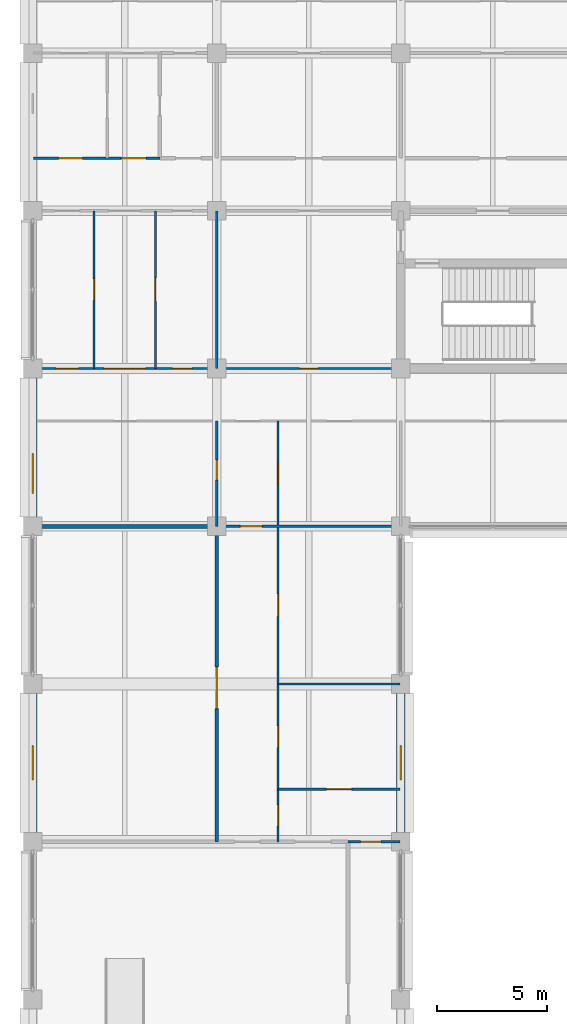
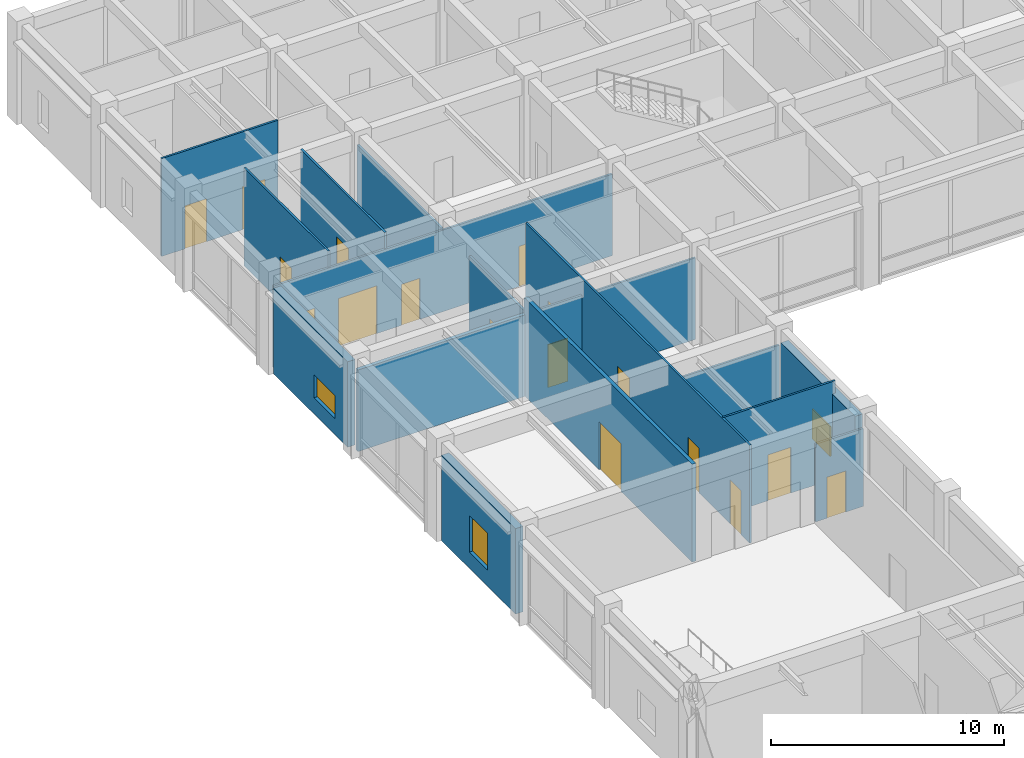
# One storey, part 24 of 51: 17 doors, 16 walls, 3 windows, 20 openings.
"""IFC4 building model written with IfcOpenShell, lengths in metres."""

from ifc_helpers import new_model, si_unit, direction, frame, frame_2d, origin, place, context, subcontext, project, spatial, rectangle, extrude, material, layer, layer_set, type_object, element, fill, save


model = new_model("IFC4")

# Units and contexts
model_context = context("Model", 3, precision=1e-05, world=origin(), true_north=direction((0.0, 1.0)))
body_context = subcontext(model_context, "Body", "Model", "MODEL_VIEW")
ifc_project = project(units=[si_unit("LENGTHUNIT", "METRE"), si_unit("AREAUNIT", "SQUARE_METRE"), si_unit("VOLUMEUNIT", "CUBIC_METRE"), si_unit("PLANEANGLEUNIT", "RADIAN"), si_unit("MASSUNIT", "GRAM", prefix="KILO")], contexts=[model_context])

# Site, building, storey
site_placement = place(None, origin())
site = spatial("IfcSite", under=ifc_project, at=site_placement, CompositionType="ELEMENT")
building_placement = place(site_placement, origin())
building = spatial("IfcBuilding", under=site, at=building_placement, Name="Chengyuan Square Courthouse", CompositionType="ELEMENT")
storey_placement = place(building_placement, frame((0.0, 0.0, 10.800048828125)))
storey = spatial("IfcBuildingStorey", under=building, at=storey_placement, Name="L03", CompositionType="ELEMENT", Elevation=10.800048828125)

# Wall, opening, window
ifc_material_1 = material(Name="Concrete C40", Category="concrete")
ifc_layer_1 = layer(ifc_material_1, 0.3798828125)
ifc_layer_set_1 = layer_set([ifc_layer_1], Name="Concrete C40")
wall_type_1 = type_object("IfcWallType", Name="WL-EW1", PredefinedType="STANDARD", material=ifc_layer_set_1)
wall_1_placement = place(storey_placement, frame((0.0, 65.219970703125, 0.0), z_axis=(0.0, 0.0, 1.0), x_axis=(0.0, 1.0, 0.0)))
wall_1 = element("IfcWall", 1, at=wall_1_placement, inside=storey, type_object=wall_type_1, Name="Exterior Wall WL-L03-E260", PredefinedType="STANDARD", context=body_context, shape_type="SweptSolid", body=[
    extrude(rectangle(XDim=6.360107421875, YDim=0.3798828125, at=frame_2d((3.18017578125, 0.0))), origin(), (0.0, 0.0, 1.0), 4.469970703125),
])
opening_1_placement = place(wall_1_placement, frame((2.405029296875, 0.0, 0.85009765625)))
opening_1 = element("IfcOpeningElement", 2, at=opening_1_placement, cuts=wall_1, Name="Opening WN-061", PredefinedType="OPENING", context=body_context, shape_type="SweptSolid", body=[
    extrude(rectangle(XDim=1.550048828125, YDim=1.919921875, at=frame_2d((0.77490234375, 0.9599609375))), frame((0.0, 0.201904296875, 0.0), z_axis=(0.0, -1.0, 0.0), x_axis=(1.0, 0.0, 0.0)), (0.0, 0.0, 1.0), 0.40380859375),
])
ifc_material_2 = material(Name="Thermally Broken Aluminium Triple Low-E Window", Category="aluminium")
window_type_1 = type_object("IfcWindowType", Name="WT-29", PartitioningType="SINGLE_PANEL", PredefinedType="WINDOW", material=ifc_material_2)
window_1_placement = place(opening_1_placement, origin())
window_1 = element("IfcWindow", 3, at=window_1_placement, inside=storey, type_object=window_type_1, Name="Facade Window WN-061", OverallHeight=1.919921875, OverallWidth=1.550048828125, PartitioningType="SINGLE_PANEL", PredefinedType="WINDOW", context=body_context, shape_type="SweptSolid", body=[
    extrude(rectangle(XDim=1.550048828125, YDim=1.919921875, at=frame_2d((0.77490234375, 0.9599609375))), frame((0.0, 0.030029296875, 0.0), z_axis=(0.0, -1.0, 0.0), x_axis=(1.0, 0.0, 0.0)), (0.0, 0.0, 1.0), 0.06005859375),
])
fill(opening_1, window_1)

wall_2_placement = place(storey_placement, frame((0.0, 79.6201171875, 0.0), z_axis=(0.0, 0.0, 1.0), x_axis=(0.0, 1.0, 0.0)))
wall_2 = element("IfcWall", 4, at=wall_2_placement, inside=storey, type_object=wall_type_1, Name="Exterior Wall WL-L03-E261", PredefinedType="STANDARD", context=body_context, shape_type="SweptSolid", body=[
    extrude(rectangle(XDim=6.35986328125, YDim=0.3798828125, at=frame_2d((3.179931640625, 0.0))), origin(), (0.0, 0.0, 1.0), 4.469970703125),
])
opening_2_placement = place(wall_2_placement, frame((1.080078125, 0.0, 0.85009765625)))
opening_2 = element("IfcOpeningElement", 5, at=opening_2_placement, cuts=wall_2, Name="Opening WN-062", PredefinedType="OPENING", context=body_context, shape_type="SweptSolid", body=[
    extrude(rectangle(XDim=1.800048828125, YDim=1.199951171875, at=frame_2d((0.89990234375, 0.60009765625))), frame((0.0, 0.201904296875, 0.0), z_axis=(0.0, -1.0, 0.0), x_axis=(1.0, 0.0, 0.0)), (0.0, 0.0, 1.0), 0.40380859375),
])
window_type_2 = type_object("IfcWindowType", Name="WT-31", PartitioningType="SINGLE_PANEL", PredefinedType="WINDOW", material=ifc_material_2)
window_2_placement = place(opening_2_placement, origin())
window_2 = element("IfcWindow", 6, at=window_2_placement, inside=storey, type_object=window_type_2, Name="Facade Window WN-062", OverallHeight=1.199951171875, OverallWidth=1.800048828125, PartitioningType="SINGLE_PANEL", PredefinedType="WINDOW", context=body_context, shape_type="SweptSolid", body=[
    extrude(rectangle(XDim=1.800048828125, YDim=1.199951171875, at=frame_2d((0.89990234375, 0.60009765625))), frame((0.0, 0.030029296875, 0.0), z_axis=(0.0, -1.0, 0.0), x_axis=(1.0, 0.0, 0.0)), (0.0, 0.0, 1.0), 0.06005859375),
])
fill(opening_2, window_2)

wall_3_placement = place(storey_placement, frame((16.800048828125, 65.219970703125, 0.0), z_axis=(0.0, 0.0, 1.0), x_axis=(0.0, 1.0, 0.0)))
wall_3 = element("IfcWall", 7, at=wall_3_placement, inside=storey, type_object=wall_type_1, Name="Exterior Wall WL-L03-E267", PredefinedType="STANDARD", context=body_context, shape_type="SweptSolid", body=[
    extrude(rectangle(XDim=6.360107421875, YDim=0.3798828125, at=frame_2d((3.18017578125, 0.0))), origin(), (0.0, 0.0, 1.0), 4.469970703125),
])
opening_3_placement = place(wall_3_placement, frame((2.405029296875, 0.0, 0.85009765625)))
opening_3 = element("IfcOpeningElement", 8, at=opening_3_placement, cuts=wall_3, Name="Opening WN-066", PredefinedType="OPENING", context=body_context, shape_type="SweptSolid", body=[
    extrude(rectangle(XDim=1.550048828125, YDim=1.56005859375, at=frame_2d((0.77490234375, 0.780029296875))), frame((0.0, 0.201904296875, 0.0), z_axis=(0.0, -1.0, 0.0), x_axis=(1.0, 0.0, 0.0)), (0.0, 0.0, 1.0), 0.40380859375),
])
window_type_3 = type_object("IfcWindowType", Name="WT-27", PartitioningType="SINGLE_PANEL", PredefinedType="WINDOW", material=ifc_material_2)
window_3_placement = place(opening_3_placement, origin())
window_3 = element("IfcWindow", 9, at=window_3_placement, inside=storey, type_object=window_type_3, Name="Facade Window WN-066", OverallHeight=1.56005859375, OverallWidth=1.550048828125, PartitioningType="SINGLE_PANEL", PredefinedType="WINDOW", context=body_context, shape_type="SweptSolid", body=[
    extrude(rectangle(XDim=1.550048828125, YDim=1.56005859375, at=frame_2d((0.77490234375, 0.780029296875))), frame((0.0, 0.030029296875, 0.0), z_axis=(0.0, -1.0, 0.0), x_axis=(1.0, 0.0, 0.0)), (0.0, 0.0, 1.0), 0.06005859375),
])
fill(opening_3, window_3)

# Wall
ifc_material_3 = material(Name="Double-Stud Acoustic Gypsum Courtroom Partition")
ifc_layer_2 = layer(ifc_material_3, 0.179931640625)
ifc_layer_set_2 = layer_set([ifc_layer_2], Name="Double-Stud Acoustic Gypsum Courtroom Partition")
wall_type_2 = type_object("IfcWallType", Name="WL-PT1", PredefinedType="STANDARD", material=ifc_layer_set_2)
wall_4_placement = place(storey_placement, frame((0.0400390625, 79.199951171875, 0.0), z_axis=(0.0, 0.0, 1.0), x_axis=(1.0, 0.0, 0.0)))
element("IfcWall", 10, at=wall_4_placement, inside=storey, type_object=wall_type_2, Name="Interior Wall WL-L03-I1408", PredefinedType="STANDARD", context=body_context, shape_type="SweptSolid", body=[
    extrude(rectangle(XDim=8.35986328125, YDim=0.179931640625, at=frame_2d((4.179931640625, 0.0))), origin(), (0.0, 0.0, 1.0), 4.27001953125),
])

# Wall, opening, door
wall_5_placement = place(storey_placement, frame((8.39990234375, 64.800048828125, 0.0), z_axis=(0.0, 0.0, 1.0), x_axis=(0.0, 1.0, 0.0)))
wall_5 = element("IfcWall", 11, at=wall_5_placement, inside=storey, type_object=wall_type_2, Name="Interior Wall WL-L03-I1556", PredefinedType="STANDARD", context=body_context, shape_type="SweptSolid", body=[
    extrude(rectangle(XDim=14.39990234375, YDim=0.179931640625, at=frame_2d((7.199951171875, 0.0))), origin(), (0.0, 0.0, 1.0), 5.119873046875),
])
opening_4_placement = place(wall_5_placement, frame((6.077392578125, 0.0, 0.0)))
opening_4 = element("IfcOpeningElement", 12, at=opening_4_placement, cuts=wall_5, Name="Opening DR-1610", PredefinedType="OPENING", context=body_context, shape_type="SweptSolid", body=[
    extrude(rectangle(XDim=1.89990234375, YDim=2.5, at=frame_2d((0.949951171875, 1.25))), frame((0.0, 0.10205078125, 0.0), z_axis=(0.0, -1.0, 0.0), x_axis=(1.0, 0.0, 0.0)), (0.0, 0.0, 1.0), 0.203857421875),
])
ifc_material_4 = material(Name="Acoustic Larch Veneer Double Door")
door_type_1 = type_object("IfcDoorType", Name="DT-26", OperationType="DOUBLE_DOOR_SINGLE_SWING", PredefinedType="DOOR", material=ifc_material_4)
door_1_placement = place(opening_4_placement, frame((1.89990234375, 0.0, 0.0), z_axis=(0.0, 0.0, 1.0), x_axis=(-1.0, 0.0, 0.0)))
door_1 = element("IfcDoor", 13, at=door_1_placement, inside=storey, type_object=door_type_1, Name="Interior Door DR-1610", OperationType="DOUBLE_DOOR_SINGLE_SWING", OverallHeight=2.5, OverallWidth=1.89990234375, PredefinedType="DOOR", context=body_context, shape_type="SweptSolid", body=[
    extrude(rectangle(XDim=1.89990234375, YDim=2.5, at=frame_2d((0.949951171875, 1.25))), frame((0.0, 0.02490234375, 0.0), z_axis=(0.0, -1.0, 0.0), x_axis=(1.0, 0.0, 0.0)), (0.0, 0.0, 1.0), 0.050048828125),
])
fill(opening_4, door_1)

ifc_material_5 = material(Name="Gypsum Plasterboard Acoustic Stud Partition")
ifc_layer_3 = layer(ifc_material_5, 0.10009765625)
ifc_layer_set_3 = layer_set([ifc_layer_3], Name="Gypsum Plasterboard Acoustic Stud Partition")
wall_type_3 = type_object("IfcWallType", Name="WL-PT6", PredefinedType="STANDARD", material=ifc_layer_set_3)
wall_6_placement = place(storey_placement, frame((14.39990234375, 64.800048828125, 0.0), z_axis=(0.0, 0.0, 1.0), x_axis=(1.0, 0.0, 0.0)))
wall_6 = element("IfcWall", 14, at=wall_6_placement, inside=storey, type_object=wall_type_3, Name="Interior Wall WL-L03-I1401", PredefinedType="STANDARD", context=body_context, shape_type="SweptSolid", body=[
    extrude(rectangle(XDim=2.360107421875, YDim=0.10009765625, at=frame_2d((1.18017578125, 0.0))), origin(), (0.0, 0.0, 1.0), 4.070068359375),
])
opening_5_placement = place(wall_6_placement, frame((0.5673828125, 0.0, 0.0)))
opening_5 = element("IfcOpeningElement", 15, at=opening_5_placement, cuts=wall_6, Name="Opening DR-1359", PredefinedType="OPENING", context=body_context, shape_type="SweptSolid", body=[
    extrude(rectangle(XDim=0.919921875, YDim=2.14990234375, at=frame_2d((0.4599609375, 1.074951171875))), frame((0.0, 0.06201171875, 0.0), z_axis=(0.0, -1.0, 0.0), x_axis=(1.0, 0.0, 0.0)), (0.0, 0.0, 1.0), 0.1240234375),
])
ifc_material_6 = material(Name="Acoustic Solid-Core Timber Door", Category="wood")
door_type_2 = type_object("IfcDoorType", Name="DT-29", OperationType="NOTDEFINED", PredefinedType="DOOR", material=ifc_material_6)
door_2_placement = place(opening_5_placement, origin())
door_2 = element("IfcDoor", 16, at=door_2_placement, inside=storey, type_object=door_type_2, Name="Interior Door DR-1359", OperationType="SINGLE_SWING_LEFT", OverallHeight=2.14990234375, OverallWidth=0.919921875, PredefinedType="DOOR", context=body_context, shape_type="SweptSolid", body=[
    extrude(rectangle(XDim=0.919921875, YDim=2.14990234375, at=frame_2d((0.4599609375, 1.074951171875))), frame((0.0, 0.02490234375, 0.0), z_axis=(0.0, -1.0, 0.0), x_axis=(1.0, 0.0, 0.0)), (0.0, 0.0, 1.0), 0.050048828125),
])
fill(opening_5, door_2)

wall_7_placement = place(storey_placement, frame((11.199951171875, 67.199951171875, 0.0), z_axis=(0.0, 0.0, 1.0), x_axis=(1.0, 0.0, 0.0)))
wall_7 = element("IfcWall", 17, at=wall_7_placement, inside=storey, type_object=wall_type_3, Name="Interior Wall WL-L03-I1404", PredefinedType="STANDARD", context=body_context, shape_type="SweptSolid", body=[
    extrude(rectangle(XDim=5.56005859375, YDim=0.10009765625, at=frame_2d((2.780029296875, 0.0))), origin(), (0.0, 0.0, 1.0), 5.119873046875),
])
opening_6_placement = place(wall_7_placement, frame((2.2099609375, 0.0, 0.0)))
opening_6 = element("IfcOpeningElement", 18, at=opening_6_placement, cuts=wall_7, Name="Opening DR-1611", PredefinedType="OPENING", context=body_context, shape_type="SweptSolid", body=[
    extrude(rectangle(XDim=1.139892578125, YDim=2.39990234375, at=frame_2d((0.56982421875, 1.199951171875))), frame((0.0, 0.06201171875, 0.0), z_axis=(0.0, -1.0, 0.0), x_axis=(1.0, 0.0, 0.0)), (0.0, 0.0, 1.0), 0.1240234375),
])
door_type_3 = type_object("IfcDoorType", Name="DT-43", OperationType="NOTDEFINED", PredefinedType="DOOR", material=ifc_material_6)
door_3_placement = place(opening_6_placement, origin())
door_3 = element("IfcDoor", 19, at=door_3_placement, inside=storey, type_object=door_type_3, Name="Interior Door DR-1611", OperationType="SINGLE_SWING_RIGHT", OverallHeight=2.39990234375, OverallWidth=1.139892578125, PredefinedType="DOOR", context=body_context, shape_type="SweptSolid", body=[
    extrude(rectangle(XDim=1.139892578125, YDim=2.39990234375, at=frame_2d((0.56982421875, 1.199951171875))), frame((0.0, 0.02490234375, 0.0), z_axis=(0.0, -1.0, 0.0), x_axis=(1.0, 0.0, 0.0)), (0.0, 0.0, 1.0), 0.050048828125),
])
fill(opening_6, door_3)

# Wall
wall_8_placement = place(storey_placement, frame((11.199951171875, 72.0, 0.0), z_axis=(0.0, 0.0, 1.0), x_axis=(1.0, 0.0, 0.0)))
element("IfcWall", 20, at=wall_8_placement, inside=storey, type_object=wall_type_3, Name="Interior Wall WL-L03-I1406", PredefinedType="STANDARD", context=body_context, shape_type="SweptSolid", body=[
    extrude(rectangle(XDim=5.56005859375, YDim=0.10009765625, at=frame_2d((2.780029296875, 0.0))), origin(), (0.0, 0.0, 1.0), 4.070068359375),
])

# Wall, opening, door
wall_9_placement = place(storey_placement, frame((8.39990234375, 79.199951171875, 0.0), z_axis=(0.0, 0.0, 1.0), x_axis=(1.0, 0.0, 0.0)))
wall_9 = element("IfcWall", 21, at=wall_9_placement, inside=storey, type_object=wall_type_3, Name="Interior Wall WL-L03-I1409", PredefinedType="STANDARD", context=body_context, shape_type="SweptSolid", body=[
    extrude(rectangle(XDim=8.360107421875, YDim=0.10009765625, at=frame_2d((4.18017578125, 0.0))), origin(), (0.0, 0.0, 1.0), 4.27001953125),
])
opening_7_placement = place(wall_9_placement, frame((1.072509765625, 0.0, 0.0)))
opening_7 = element("IfcOpeningElement", 22, at=opening_7_placement, cuts=wall_9, Name="Opening DR-1599", PredefinedType="OPENING", context=body_context, shape_type="SweptSolid", body=[
    extrude(rectangle(XDim=1.0, YDim=2.25, at=frame_2d((0.5, 1.125))), frame((0.0, 0.06201171875, 0.0), z_axis=(0.0, -1.0, 0.0), x_axis=(1.0, 0.0, 0.0)), (0.0, 0.0, 1.0), 0.1240234375),
])
door_type_4 = type_object("IfcDoorType", Name="DT-31", OperationType="NOTDEFINED", PredefinedType="DOOR", material=ifc_material_6)
door_4_placement = place(opening_7_placement, origin())
door_4 = element("IfcDoor", 23, at=door_4_placement, inside=storey, type_object=door_type_4, Name="Interior Door DR-1599", OperationType="SINGLE_SWING_LEFT", OverallHeight=2.25, OverallWidth=1.0, PredefinedType="DOOR", context=body_context, shape_type="SweptSolid", body=[
    extrude(rectangle(XDim=1.0, YDim=2.25, at=frame_2d((0.5, 1.125))), frame((0.0, 0.02490234375, 0.0), z_axis=(0.0, -1.0, 0.0), x_axis=(1.0, 0.0, 0.0)), (0.0, 0.0, 1.0), 0.050048828125),
])
fill(opening_7, door_4)

# Wall, openings, doors
wall_10_placement = place(storey_placement, frame((0.0400390625, 86.39990234375, 0.0), z_axis=(0.0, 0.0, 1.0), x_axis=(1.0, 0.0, 0.0)))
wall_10 = element("IfcWall", 24, at=wall_10_placement, inside=storey, type_object=wall_type_3, Name="Interior Wall WL-L03-I1417", PredefinedType="STANDARD", context=body_context, shape_type="SweptSolid", body=[
    extrude(rectangle(XDim=16.760009765625, YDim=0.10009765625, at=frame_2d((8.3798828125, 0.0))), origin(), (0.0, 0.0, 1.0), 4.27001953125),
])
opening_8_placement = place(wall_10_placement, frame((1.0224609375, 0.0, 0.0)))
opening_8 = element("IfcOpeningElement", 25, at=opening_8_placement, cuts=wall_10, Name="Opening DR-1524", PredefinedType="OPENING", context=body_context, shape_type="SweptSolid", body=[
    extrude(rectangle(XDim=1.02001953125, YDim=2.39990234375, at=frame_2d((0.510009765625, 1.199951171875))), frame((0.0, 0.06201171875, 0.0), z_axis=(0.0, -1.0, 0.0), x_axis=(1.0, 0.0, 0.0)), (0.0, 0.0, 1.0), 0.1240234375),
])
opening_9_placement = place(wall_10_placement, frame((3.2099609375, 0.0, 0.0)))
opening_9 = element("IfcOpeningElement", 26, at=opening_9_placement, cuts=wall_10, Name="Opening DR-1526", PredefinedType="OPENING", context=body_context, shape_type="SweptSolid", body=[
    extrude(rectangle(XDim=1.89990234375, YDim=2.5, at=frame_2d((0.949951171875, 1.25))), frame((0.0, 0.06201171875, 0.0), z_axis=(0.0, -1.0, 0.0), x_axis=(1.0, 0.0, 0.0)), (0.0, 0.0, 1.0), 0.1240234375),
])
opening_10_placement = place(wall_10_placement, frame((6.33740234375, 0.0, 0.0)))
opening_10 = element("IfcOpeningElement", 27, at=opening_10_placement, cuts=wall_10, Name="Opening DR-1527", PredefinedType="OPENING", context=body_context, shape_type="SweptSolid", body=[
    extrude(rectangle(XDim=0.89990234375, YDim=2.14990234375, at=frame_2d((0.449951171875, 1.074951171875))), frame((0.0, 0.06201171875, 0.0), z_axis=(0.0, -1.0, 0.0), x_axis=(1.0, 0.0, 0.0)), (0.0, 0.0, 1.0), 0.1240234375),
])
opening_11_placement = place(wall_10_placement, frame((12.1298828125, 0.0, 0.0)))
opening_11 = element("IfcOpeningElement", 28, at=opening_11_placement, cuts=wall_10, Name="Opening DR-1528", PredefinedType="OPENING", context=body_context, shape_type="SweptSolid", body=[
    extrude(rectangle(XDim=0.860107421875, YDim=2.10009765625, at=frame_2d((0.43017578125, 1.050048828125))), frame((0.0, 0.06201171875, 0.0), z_axis=(0.0, -1.0, 0.0), x_axis=(1.0, 0.0, 0.0)), (0.0, 0.0, 1.0), 0.1240234375),
])
door_5_placement = place(opening_9_placement, frame((1.89990234375, 0.0, 0.0), z_axis=(0.0, 0.0, 1.0), x_axis=(-1.0, 0.0, 0.0)))
door_5 = element("IfcDoor", 29, at=door_5_placement, inside=storey, type_object=door_type_1, Name="Interior Door DR-1526", OperationType="DOUBLE_DOOR_SINGLE_SWING", OverallHeight=2.5, OverallWidth=1.89990234375, PredefinedType="DOOR", context=body_context, shape_type="SweptSolid", body=[
    extrude(rectangle(XDim=1.89990234375, YDim=2.5, at=frame_2d((0.949951171875, 1.25))), frame((0.0, 0.02490234375, 0.0), z_axis=(0.0, -1.0, 0.0), x_axis=(1.0, 0.0, 0.0)), (0.0, 0.0, 1.0), 0.050048828125),
])
fill(opening_9, door_5)
door_type_5 = type_object("IfcDoorType", Name="DT-27", OperationType="NOTDEFINED", PredefinedType="DOOR", material=ifc_material_6)
door_6_placement = place(opening_10_placement, origin())
door_6 = element("IfcDoor", 30, at=door_6_placement, inside=storey, type_object=door_type_5, Name="Interior Door DR-1527", OperationType="SINGLE_SWING_RIGHT", OverallHeight=2.14990234375, OverallWidth=0.89990234375, PredefinedType="DOOR", context=body_context, shape_type="SweptSolid", body=[
    extrude(rectangle(XDim=0.89990234375, YDim=2.14990234375, at=frame_2d((0.449951171875, 1.074951171875))), frame((0.0, 0.02490234375, 0.0), z_axis=(0.0, -1.0, 0.0), x_axis=(1.0, 0.0, 0.0)), (0.0, 0.0, 1.0), 0.050048828125),
])
fill(opening_10, door_6)
door_type_6 = type_object("IfcDoorType", Name="DT-28", OperationType="NOTDEFINED", PredefinedType="DOOR", material=ifc_material_6)
door_7_placement = place(opening_11_placement, origin())
door_7 = element("IfcDoor", 31, at=door_7_placement, inside=storey, type_object=door_type_6, Name="Interior Door DR-1528", OperationType="SINGLE_SWING_LEFT", OverallHeight=2.10009765625, OverallWidth=0.860107421875, PredefinedType="DOOR", context=body_context, shape_type="SweptSolid", body=[
    extrude(rectangle(XDim=0.860107421875, YDim=2.10009765625, at=frame_2d((0.43017578125, 1.050048828125))), frame((0.0, 0.02490234375, 0.0), z_axis=(0.0, -1.0, 0.0), x_axis=(1.0, 0.0, 0.0)), (0.0, 0.0, 1.0), 0.050048828125),
])
fill(opening_11, door_7)
door_type_7 = type_object("IfcDoorType", Name="DT-41", OperationType="NOTDEFINED", PredefinedType="DOOR", material=ifc_material_6)
door_8_placement = place(opening_8_placement, origin())
door_8 = element("IfcDoor", 32, at=door_8_placement, inside=storey, type_object=door_type_7, Name="Interior Door DR-1524", OperationType="SINGLE_SWING_RIGHT", OverallHeight=2.39990234375, OverallWidth=1.02001953125, PredefinedType="DOOR", context=body_context, shape_type="SweptSolid", body=[
    extrude(rectangle(XDim=1.02001953125, YDim=2.39990234375, at=frame_2d((0.510009765625, 1.199951171875))), frame((0.0, 0.02490234375, 0.0), z_axis=(0.0, -1.0, 0.0), x_axis=(1.0, 0.0, 0.0)), (0.0, 0.0, 1.0), 0.050048828125),
])
fill(opening_8, door_8)

wall_11_placement = place(storey_placement, frame((0.0400390625, 96.0, 0.0), z_axis=(0.0, 0.0, 1.0), x_axis=(1.0, 0.0, 0.0)))
wall_11 = element("IfcWall", 33, at=wall_11_placement, inside=storey, type_object=wall_type_3, Name="Interior Wall WL-L03-I1461", PredefinedType="STANDARD", context=body_context, shape_type="SweptSolid", body=[
    extrude(rectangle(XDim=5.760009765625, YDim=0.10009765625, at=frame_2d((2.8798828125, 0.0))), origin(), (0.0, 0.0, 1.0), 5.119873046875),
])
opening_12_placement = place(wall_11_placement, frame((1.139892578125, 0.0, 0.0)))
opening_12 = element("IfcOpeningElement", 34, at=opening_12_placement, cuts=wall_11, Name="Opening DR-1448", PredefinedType="OPENING", context=body_context, shape_type="SweptSolid", body=[
    extrude(rectangle(XDim=1.080078125, YDim=2.25, at=frame_2d((0.5400390625, 1.125))), frame((0.0, 0.06201171875, 0.0), z_axis=(0.0, -1.0, 0.0), x_axis=(1.0, 0.0, 0.0)), (0.0, 0.0, 1.0), 0.1240234375),
])
opening_13_placement = place(wall_11_placement, frame((4.0, 0.0, 0.0)))
opening_13 = element("IfcOpeningElement", 35, at=opening_13_placement, cuts=wall_11, Name="Opening DR-1449", PredefinedType="OPENING", context=body_context, shape_type="SweptSolid", body=[
    extrude(rectangle(XDim=1.1201171875, YDim=2.25, at=frame_2d((0.56005859375, 1.125))), frame((0.0, 0.06201171875, 0.0), z_axis=(0.0, -1.0, 0.0), x_axis=(1.0, 0.0, 0.0)), (0.0, 0.0, 1.0), 0.1240234375),
])
door_type_8 = type_object("IfcDoorType", Name="DT-33", OperationType="NOTDEFINED", PredefinedType="DOOR", material=ifc_material_6)
door_9_placement = place(opening_12_placement, origin())
door_9 = element("IfcDoor", 36, at=door_9_placement, inside=storey, type_object=door_type_8, Name="Interior Door DR-1448", OperationType="SINGLE_SWING_LEFT", OverallHeight=2.25, OverallWidth=1.080078125, PredefinedType="DOOR", context=body_context, shape_type="SweptSolid", body=[
    extrude(rectangle(XDim=1.080078125, YDim=2.25, at=frame_2d((0.5400390625, 1.125))), frame((0.0, 0.02490234375, 0.0), z_axis=(0.0, -1.0, 0.0), x_axis=(1.0, 0.0, 0.0)), (0.0, 0.0, 1.0), 0.050048828125),
])
fill(opening_12, door_9)
door_type_9 = type_object("IfcDoorType", Name="DT-34", OperationType="NOTDEFINED", PredefinedType="DOOR", material=ifc_material_6)
door_10_placement = place(opening_13_placement, origin())
door_10 = element("IfcDoor", 37, at=door_10_placement, inside=storey, type_object=door_type_9, Name="Interior Door DR-1449", OperationType="SINGLE_SWING_RIGHT", OverallHeight=2.25, OverallWidth=1.1201171875, PredefinedType="DOOR", context=body_context, shape_type="SweptSolid", body=[
    extrude(rectangle(XDim=1.1201171875, YDim=2.25, at=frame_2d((0.56005859375, 1.125))), frame((0.0, 0.02490234375, 0.0), z_axis=(0.0, -1.0, 0.0), x_axis=(1.0, 0.0, 0.0)), (0.0, 0.0, 1.0), 0.050048828125),
])
fill(opening_13, door_10)

# Wall, opening, door
wall_12_placement = place(storey_placement, frame((2.800048828125, 86.39990234375, 0.0), z_axis=(0.0, 0.0, 1.0), x_axis=(0.0, 1.0, 0.0)))
wall_12 = element("IfcWall", 38, at=wall_12_placement, inside=storey, type_object=wall_type_3, Name="Interior Wall WL-L03-I1549", PredefinedType="STANDARD", context=body_context, shape_type="SweptSolid", body=[
    extrude(rectangle(XDim=7.2001953125, YDim=0.10009765625, at=frame_2d((3.60009765625, 0.0))), origin(), (0.0, 0.0, 1.0), 5.119873046875),
])
opening_14_placement = place(wall_12_placement, frame((3.110107421875, 0.0, 0.0)))
opening_14 = element("IfcOpeningElement", 39, at=opening_14_placement, cuts=wall_12, Name="Opening DR-1523", PredefinedType="OPENING", context=body_context, shape_type="SweptSolid", body=[
    extrude(rectangle(XDim=0.97998046875, YDim=2.35009765625, at=frame_2d((0.489990234375, 1.175048828125))), frame((0.0, 0.06201171875, 0.0), z_axis=(0.0, -1.0, 0.0), x_axis=(1.0, 0.0, 0.0)), (0.0, 0.0, 1.0), 0.1240234375),
])
door_type_10 = type_object("IfcDoorType", Name="DT-40", OperationType="NOTDEFINED", PredefinedType="DOOR", material=ifc_material_6)
door_11_placement = place(opening_14_placement, origin())
door_11 = element("IfcDoor", 40, at=door_11_placement, inside=storey, type_object=door_type_10, Name="Interior Door DR-1523", OperationType="SINGLE_SWING_LEFT", OverallHeight=2.35009765625, OverallWidth=0.97998046875, PredefinedType="DOOR", context=body_context, shape_type="SweptSolid", body=[
    extrude(rectangle(XDim=0.97998046875, YDim=2.35009765625, at=frame_2d((0.489990234375, 1.175048828125))), frame((0.0, 0.02490234375, 0.0), z_axis=(0.0, -1.0, 0.0), x_axis=(1.0, 0.0, 0.0)), (0.0, 0.0, 1.0), 0.050048828125),
])
fill(opening_14, door_11)

wall_13_placement = place(storey_placement, frame((5.60009765625, 86.39990234375, 0.0), z_axis=(0.0, 0.0, 1.0), x_axis=(0.0, 1.0, 0.0)))
wall_13 = element("IfcWall", 41, at=wall_13_placement, inside=storey, type_object=wall_type_3, Name="Interior Wall WL-L03-I1551", PredefinedType="STANDARD", context=body_context, shape_type="SweptSolid", body=[
    extrude(rectangle(XDim=7.2001953125, YDim=0.10009765625, at=frame_2d((3.60009765625, 0.0))), origin(), (0.0, 0.0, 1.0), 5.119873046875),
])
opening_15_placement = place(wall_13_placement, frame((3.070068359375, 0.0, 0.0)))
opening_15 = element("IfcOpeningElement", 42, at=opening_15_placement, cuts=wall_13, Name="Opening DR-1525", PredefinedType="OPENING", context=body_context, shape_type="SweptSolid", body=[
    extrude(rectangle(XDim=1.06005859375, YDim=2.39990234375, at=frame_2d((0.530029296875, 1.199951171875))), frame((0.0, 0.06201171875, 0.0), z_axis=(0.0, -1.0, 0.0), x_axis=(1.0, 0.0, 0.0)), (0.0, 0.0, 1.0), 0.1240234375),
])
door_type_11 = type_object("IfcDoorType", Name="DT-42", OperationType="NOTDEFINED", PredefinedType="DOOR", material=ifc_material_6)
door_12_placement = place(opening_15_placement, origin())
door_12 = element("IfcDoor", 43, at=door_12_placement, inside=storey, type_object=door_type_11, Name="Interior Door DR-1525", OperationType="SINGLE_SWING_LEFT", OverallHeight=2.39990234375, OverallWidth=1.06005859375, PredefinedType="DOOR", context=body_context, shape_type="SweptSolid", body=[
    extrude(rectangle(XDim=1.06005859375, YDim=2.39990234375, at=frame_2d((0.530029296875, 1.199951171875))), frame((0.0, 0.02490234375, 0.0), z_axis=(0.0, -1.0, 0.0), x_axis=(1.0, 0.0, 0.0)), (0.0, 0.0, 1.0), 0.050048828125),
])
fill(opening_15, door_12)

wall_14_placement = place(storey_placement, frame((8.39990234375, 79.199951171875, 0.0), z_axis=(0.0, 0.0, 1.0), x_axis=(0.0, 1.0, 0.0)))
wall_14 = element("IfcWall", 44, at=wall_14_placement, inside=storey, type_object=wall_type_3, Name="Interior Wall WL-L03-I1557", PredefinedType="STANDARD", context=body_context, shape_type="SweptSolid", body=[
    extrude(rectangle(XDim=4.800048828125, YDim=0.10009765625, at=frame_2d((2.39990234375, 0.0))), origin(), (0.0, 0.0, 1.0), 4.369873046875),
])
opening_16_placement = place(wall_14_placement, frame((2.112548828125, 0.0, 0.0)))
opening_16 = element("IfcOpeningElement", 45, at=opening_16_placement, cuts=wall_14, Name="Opening DR-1597", PredefinedType="OPENING", context=body_context, shape_type="SweptSolid", body=[
    extrude(rectangle(XDim=0.919921875, YDim=2.14990234375, at=frame_2d((0.4599609375, 1.074951171875))), frame((0.0, 0.06201171875, 0.0), z_axis=(0.0, -1.0, 0.0), x_axis=(1.0, 0.0, 0.0)), (0.0, 0.0, 1.0), 0.1240234375),
])
door_13_placement = place(opening_16_placement, origin())
door_13 = element("IfcDoor", 46, at=door_13_placement, inside=storey, type_object=door_type_2, Name="Interior Door DR-1597", OperationType="SINGLE_SWING_LEFT", OverallHeight=2.14990234375, OverallWidth=0.919921875, PredefinedType="DOOR", context=body_context, shape_type="SweptSolid", body=[
    extrude(rectangle(XDim=0.919921875, YDim=2.14990234375, at=frame_2d((0.4599609375, 1.074951171875))), frame((0.0, 0.02490234375, 0.0), z_axis=(0.0, -1.0, 0.0), x_axis=(1.0, 0.0, 0.0)), (0.0, 0.0, 1.0), 0.050048828125),
])
fill(opening_16, door_13)

# Wall
wall_15_placement = place(storey_placement, frame((8.39990234375, 86.39990234375, 0.0), z_axis=(0.0, 0.0, 1.0), x_axis=(0.0, 1.0, 0.0)))
element("IfcWall", 47, at=wall_15_placement, inside=storey, type_object=wall_type_3, Name="Interior Wall WL-L03-I1558", PredefinedType="STANDARD", context=body_context, shape_type="SweptSolid", body=[
    extrude(rectangle(XDim=7.2001953125, YDim=0.10009765625, at=frame_2d((3.60009765625, 0.0))), origin(), (0.0, 0.0, 1.0), 4.369873046875),
])

# Wall, openings, doors
wall_16_placement = place(storey_placement, frame((11.199951171875, 64.800048828125, 0.0), z_axis=(0.0, 0.0, 1.0), x_axis=(0.0, 1.0, 0.0)))
wall_16 = element("IfcWall", 48, at=wall_16_placement, inside=storey, type_object=wall_type_3, Name="Interior Wall WL-L03-I1562", PredefinedType="STANDARD", context=body_context, shape_type="SweptSolid", body=[
    extrude(rectangle(XDim=19.199951171875, YDim=0.10009765625, at=frame_2d((9.60009765625, 0.0))), origin(), (0.0, 0.0, 1.0), 5.119873046875),
])
opening_17_placement = place(wall_16_placement, frame((16.320068359375, 0.0, 0.0)))
opening_17 = element("IfcOpeningElement", 49, at=opening_17_placement, cuts=wall_16, Name="Opening DR-1598", PredefinedType="OPENING", context=body_context, shape_type="SweptSolid", body=[
    extrude(rectangle(XDim=0.9599609375, YDim=2.199951171875, at=frame_2d((0.47998046875, 1.10009765625))), frame((0.0, 0.06201171875, 0.0), z_axis=(0.0, -1.0, 0.0), x_axis=(1.0, 0.0, 0.0)), (0.0, 0.0, 1.0), 0.1240234375),
])
opening_18_placement = place(wall_16_placement, frame((0.72998046875, 0.0, 0.0)))
opening_18 = element("IfcOpeningElement", 50, at=opening_18_placement, cuts=wall_16, Name="Opening DR-1607", PredefinedType="OPENING", context=body_context, shape_type="SweptSolid", body=[
    extrude(rectangle(XDim=0.93994140625, YDim=2.300048828125, at=frame_2d((0.469970703125, 1.14990234375))), frame((0.0, 0.06201171875, 0.0), z_axis=(0.0, -1.0, 0.0), x_axis=(1.0, 0.0, 0.0)), (0.0, 0.0, 1.0), 0.1240234375),
])
opening_19_placement = place(wall_16_placement, frame((4.31005859375, 0.0, 0.0)))
opening_19 = element("IfcOpeningElement", 51, at=opening_19_placement, cuts=wall_16, Name="Opening DR-1608", PredefinedType="OPENING", context=body_context, shape_type="SweptSolid", body=[
    extrude(rectangle(XDim=0.97998046875, YDim=2.35009765625, at=frame_2d((0.489990234375, 1.175048828125))), frame((0.0, 0.06201171875, 0.0), z_axis=(0.0, -1.0, 0.0), x_axis=(1.0, 0.0, 0.0)), (0.0, 0.0, 1.0), 0.1240234375),
])
opening_20_placement = place(wall_16_placement, frame((10.2900390625, 0.0, 0.0)))
opening_20 = element("IfcOpeningElement", 52, at=opening_20_placement, cuts=wall_16, Name="Opening DR-1609", PredefinedType="OPENING", context=body_context, shape_type="SweptSolid", body=[
    extrude(rectangle(XDim=1.02001953125, YDim=2.39990234375, at=frame_2d((0.510009765625, 1.199951171875))), frame((0.0, 0.06201171875, 0.0), z_axis=(0.0, -1.0, 0.0), x_axis=(1.0, 0.0, 0.0)), (0.0, 0.0, 1.0), 0.1240234375),
])
door_type_12 = type_object("IfcDoorType", Name="DT-30", OperationType="NOTDEFINED", PredefinedType="DOOR", material=ifc_material_6)
door_14_placement = place(opening_17_placement, origin())
door_14 = element("IfcDoor", 53, at=door_14_placement, inside=storey, type_object=door_type_12, Name="Interior Door DR-1598", OperationType="SINGLE_SWING_RIGHT", OverallHeight=2.199951171875, OverallWidth=0.9599609375, PredefinedType="DOOR", context=body_context, shape_type="SweptSolid", body=[
    extrude(rectangle(XDim=0.9599609375, YDim=2.199951171875, at=frame_2d((0.47998046875, 1.10009765625))), frame((0.0, 0.02490234375, 0.0), z_axis=(0.0, -1.0, 0.0), x_axis=(1.0, 0.0, 0.0)), (0.0, 0.0, 1.0), 0.050048828125),
])
fill(opening_17, door_14)
door_type_13 = type_object("IfcDoorType", Name="DT-39", OperationType="NOTDEFINED", PredefinedType="DOOR", material=ifc_material_6)
door_15_placement = place(opening_18_placement, origin())
door_15 = element("IfcDoor", 54, at=door_15_placement, inside=storey, type_object=door_type_13, Name="Interior Door DR-1607", OperationType="SINGLE_SWING_LEFT", OverallHeight=2.300048828125, OverallWidth=0.93994140625, PredefinedType="DOOR", context=body_context, shape_type="SweptSolid", body=[
    extrude(rectangle(XDim=0.93994140625, YDim=2.300048828125, at=frame_2d((0.469970703125, 1.14990234375))), frame((0.0, 0.02490234375, 0.0), z_axis=(0.0, -1.0, 0.0), x_axis=(1.0, 0.0, 0.0)), (0.0, 0.0, 1.0), 0.050048828125),
])
fill(opening_18, door_15)
door_16_placement = place(opening_19_placement, origin())
door_16 = element("IfcDoor", 55, at=door_16_placement, inside=storey, type_object=door_type_10, Name="Interior Door DR-1608", OperationType="SINGLE_SWING_RIGHT", OverallHeight=2.35009765625, OverallWidth=0.97998046875, PredefinedType="DOOR", context=body_context, shape_type="SweptSolid", body=[
    extrude(rectangle(XDim=0.97998046875, YDim=2.35009765625, at=frame_2d((0.489990234375, 1.175048828125))), frame((0.0, 0.02490234375, 0.0), z_axis=(0.0, -1.0, 0.0), x_axis=(1.0, 0.0, 0.0)), (0.0, 0.0, 1.0), 0.050048828125),
])
fill(opening_19, door_16)
door_17_placement = place(opening_20_placement, origin())
door_17 = element("IfcDoor", 56, at=door_17_placement, inside=storey, type_object=door_type_7, Name="Interior Door DR-1609", OperationType="SINGLE_SWING_LEFT", OverallHeight=2.39990234375, OverallWidth=1.02001953125, PredefinedType="DOOR", context=body_context, shape_type="SweptSolid", body=[
    extrude(rectangle(XDim=1.02001953125, YDim=2.39990234375, at=frame_2d((0.510009765625, 1.199951171875))), frame((0.0, 0.02490234375, 0.0), z_axis=(0.0, -1.0, 0.0), x_axis=(1.0, 0.0, 0.0)), (0.0, 0.0, 1.0), 0.050048828125),
])
fill(opening_20, door_17)

save(model, "model.ifc")
